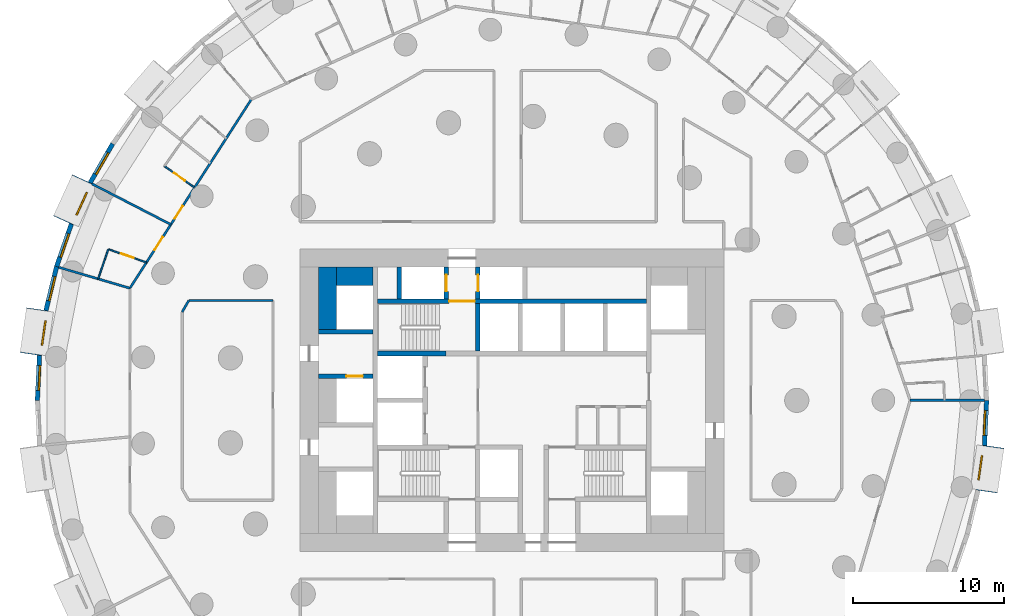
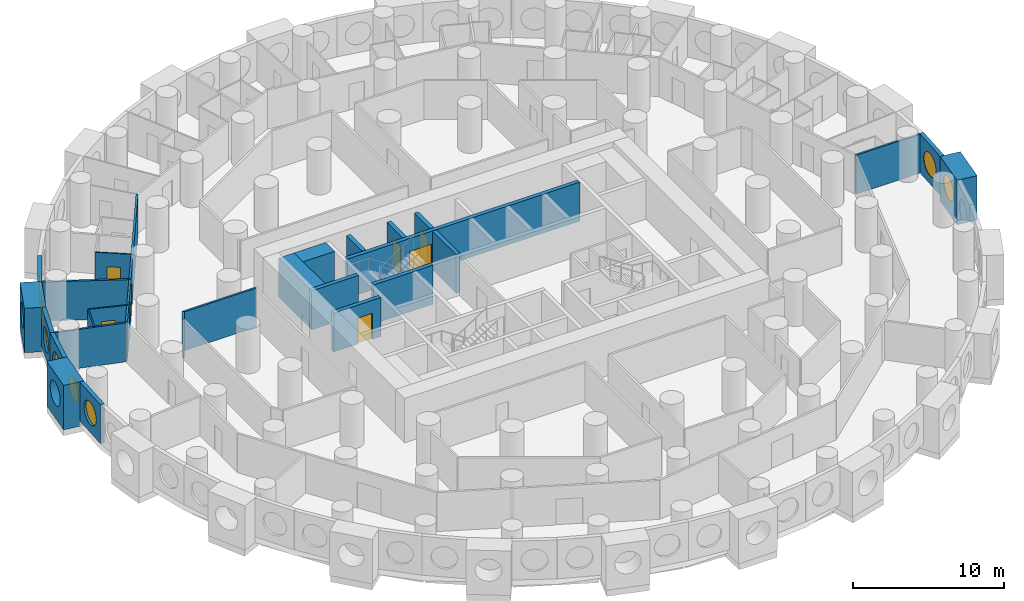
# One storey, part 6 of 12: 27 walls, 8 doors, 8 windows, 16 openings.
"""IFC4 building model written with IfcOpenShell, lengths in metres."""

from ifc_helpers import new_model, si_unit, direction, frame, frame_2d, origin, origin_2d, place, context, subcontext, project, spatial, rectangle, circle, extrude, material, layer, layer_set, type_object, element, fill, save


model = new_model("IFC4")

# Units and contexts
model_context = context("Model", 3, precision=1e-05, world=origin(), true_north=direction((0.0, 1.0)))
body_context = subcontext(model_context, "Body", "Model", "MODEL_VIEW")
ifc_project = project(units=[si_unit("LENGTHUNIT", "METRE"), si_unit("AREAUNIT", "SQUARE_METRE"), si_unit("VOLUMEUNIT", "CUBIC_METRE"), si_unit("PLANEANGLEUNIT", "RADIAN"), si_unit("MASSUNIT", "GRAM", prefix="KILO")], contexts=[model_context])

# Site, building, storey
site_placement = place(None, origin())
site = spatial("IfcSite", under=ifc_project, at=site_placement, CompositionType="ELEMENT")
building_placement = place(site_placement, origin())
building = spatial("IfcBuilding", under=site, at=building_placement, Name="Tracery Tower", CompositionType="ELEMENT")
storey_placement = place(building_placement, frame((0.0, 0.0, 46.199951171875)))
storey = spatial("IfcBuildingStorey", under=building, at=storey_placement, Name="L10", CompositionType="ELEMENT", Elevation=46.199951171875)

# Walls
ifc_material_1 = material(Name="Concrete C60/75", Category="concrete")
ifc_layer_1 = layer(ifc_material_1, 1.199951171875)
ifc_layer_set_1 = layer_set([ifc_layer_1], Name="Core strip wall 1200 C60")
wall_type_1 = type_object("IfcWallType", Name="Core strip wall 1200 C60", PredefinedType="SOLIDWALL", material=ifc_layer_set_1)
wall_1_placement = place(storey_placement, frame((-12.199951171875, 4.699951171875, 0.0), z_axis=(0.0, 0.0, 1.0), x_axis=(0.0, 1.0, 0.0)))
element("IfcWall", 1, at=wall_1_placement, inside=storey, type_object=wall_type_1, Name="L10 wing strip -1 4.55", PredefinedType="SOLIDWALL", context=body_context, shape_type="SweptSolid", body=[
    extrude(rectangle(XDim=4.10009765625, YDim=1.199951171875, at=frame_2d((2.050048828125, 0.0))), origin(), (0.0, 0.0, 1.0), 3.150146484375),
])
wall_2_placement = place(storey_placement, frame((-11.60009765625, 8.199951171875, 0.0), z_axis=(0.0, 0.0, 1.0), x_axis=(1.0, 0.0, 0.0)))
element("IfcWall", 2, at=wall_2_placement, inside=storey, type_object=wall_type_1, Name="L10 wing corner -1 +8.2", PredefinedType="SOLIDWALL", context=body_context, shape_type="SweptSolid", body=[
    extrude(rectangle(XDim=2.400146484375, YDim=1.199951171875, at=frame_2d((1.2001953125, 0.0))), origin(), (0.0, 0.0, 1.0), 3.150146484375),
])

# Wall, opening, window
ifc_material_2 = material(Name="Precast concrete C50/60", Category="concrete")
ifc_layer_2 = layer(ifc_material_2, 1.449951171875)
ifc_layer_set_2 = layer_set([ifc_layer_2], Name="Deep-set bay unit 3000 x 3600, slab edge 450")
wall_type_2 = type_object("IfcWallType", Name="Deep-set bay unit 3000 x 3600, slab edge 450", PredefinedType="ELEMENTEDWALL", material=ifc_layer_set_2)
wall_3_placement = place(storey_placement, frame((-28.40673828125, 14.6220703125, -0.449951171875), z_axis=(0.0, 0.0, 1.0), x_axis=(-0.415427028395, -0.909626508012, 0.0)))
wall_3 = element("IfcWall", 3, at=wall_3_placement, inside=storey, type_object=wall_type_2, Name="Deep-set bay unit 29 at L10", PredefinedType="ELEMENTEDWALL", context=body_context, shape_type="SweptSolid", body=[
    extrude(rectangle(XDim=3.000244140625, YDim=1.449951171875, at=frame_2d((1.5, 0.0))), origin(), (0.0, 0.0, 1.0), 3.60009765625),
])
opening_1_placement = place(wall_3_placement, frame((1.5, 0.0, 2.0)))
opening_1 = element("IfcOpeningElement", 4, at=opening_1_placement, cuts=wall_3, Name="Opening WN1", PredefinedType="OPENING", context=body_context, shape_type="SweptSolid", body=[
    extrude(circle(Radius=0.9000244140625, at=origin_2d()), frame((0.0, 0.73486328125, 0.0), z_axis=(0.0, -1.0, 0.0), x_axis=(1.0, 0.0, 0.0)), (0.0, 0.0, 1.0), 1.469970703125),
])
ifc_material_3 = material(Name="Aluminium frame with tinted double glazing", Category="aluminium")
window_type = type_object("IfcWindowType", Name="Round window 1800", PartitioningType="SINGLE_PANEL", PredefinedType="WINDOW", material=ifc_material_3)
window_1_placement = place(opening_1_placement, origin())
window_1 = element("IfcWindow", 5, at=window_1_placement, inside=storey, type_object=window_type, Name="Round window 29 at L10", OverallHeight=1.800048828125, OverallWidth=1.800048828125, PartitioningType="SINGLE_PANEL", PredefinedType="WINDOW", context=body_context, shape_type="SweptSolid", body=[
    extrude(circle(Radius=0.9000244140625, at=origin_2d()), frame((0.0, 0.69482421875, 0.0), z_axis=(0.0, -1.0, 0.0), x_axis=(1.0, 0.0, 0.0)), (0.0, 0.0, 1.0), 0.10009765625),
])
fill(opening_1, window_1)

wall_4_placement = place(storey_placement, frame((-31.37548828125, 6.026611328125, -0.449951171875), z_axis=(0.0, 0.0, 1.0), x_axis=(-0.142332746704, -0.989818866872, 0.0)))
wall_4 = element("IfcWall", 6, at=wall_4_placement, inside=storey, type_object=wall_type_2, Name="Deep-set bay unit 32 at L10", PredefinedType="ELEMENTEDWALL", context=body_context, shape_type="SweptSolid", body=[
    extrude(rectangle(XDim=3.0, YDim=1.449951171875, at=frame_2d((1.5, 0.0))), origin(), (0.0, 0.0, 1.0), 3.60009765625),
])
opening_2_placement = place(wall_4_placement, frame((1.5, 0.0, 2.0)))
opening_2 = element("IfcOpeningElement", 7, at=opening_2_placement, cuts=wall_4, Name="Opening WN1", PredefinedType="OPENING", context=body_context, shape_type="SweptSolid", body=[
    extrude(circle(Radius=0.9000244140625, at=origin_2d()), frame((0.0, 0.73486328125, 0.0), z_axis=(0.0, -1.0, 0.0), x_axis=(1.0, 0.0, 0.0)), (0.0, 0.0, 1.0), 1.469970703125),
])
window_2_placement = place(opening_2_placement, origin())
window_2 = element("IfcWindow", 8, at=window_2_placement, inside=storey, type_object=window_type, Name="Round window 32 at L10", OverallHeight=1.800048828125, OverallWidth=1.800048828125, PartitioningType="SINGLE_PANEL", PredefinedType="WINDOW", context=body_context, shape_type="SweptSolid", body=[
    extrude(circle(Radius=0.9000244140625, at=origin_2d()), frame((0.0, 0.69482421875, 0.0), z_axis=(0.0, -1.0, 0.0), x_axis=(1.0, 0.0, 0.0)), (0.0, 0.0, 1.0), 0.10009765625),
])
fill(opening_2, window_2)

wall_5_placement = place(storey_placement, frame((31.37548828125, -6.026611328125, -0.449951171875), z_axis=(0.0, 0.0, 1.0), x_axis=(0.142332746704, 0.989818866872, 0.0)))
wall_5 = element("IfcWall", 9, at=wall_5_placement, inside=storey, type_object=wall_type_2, Name="Deep-set bay unit 65 at L10", PredefinedType="ELEMENTEDWALL", context=body_context, shape_type="SweptSolid", body=[
    extrude(rectangle(XDim=3.0, YDim=1.449951171875, at=frame_2d((1.5, 0.0))), origin(), (0.0, 0.0, 1.0), 3.60009765625),
])
opening_3_placement = place(wall_5_placement, frame((1.5, 0.0, 2.0)))
opening_3 = element("IfcOpeningElement", 10, at=opening_3_placement, cuts=wall_5, Name="Opening WN1", PredefinedType="OPENING", context=body_context, shape_type="SweptSolid", body=[
    extrude(circle(Radius=0.9000244140625, at=origin_2d()), frame((0.0, 0.73486328125, 0.0), z_axis=(0.0, -1.0, 0.0), x_axis=(1.0, 0.0, 0.0)), (0.0, 0.0, 1.0), 1.469970703125),
])
window_3_placement = place(opening_3_placement, origin())
window_3 = element("IfcWindow", 11, at=window_3_placement, inside=storey, type_object=window_type, Name="Round window 65 at L10", OverallHeight=1.800048828125, OverallWidth=1.800048828125, PartitioningType="SINGLE_PANEL", PredefinedType="WINDOW", context=body_context, shape_type="SweptSolid", body=[
    extrude(circle(Radius=0.9000244140625, at=origin_2d()), frame((0.0, 0.69482421875, 0.0), z_axis=(0.0, -1.0, 0.0), x_axis=(1.0, 0.0, 0.0)), (0.0, 0.0, 1.0), 0.10009765625),
])
fill(opening_3, window_3)

ifc_material_4 = material(Name="Precast concrete C50/60", Category="concrete")
ifc_layer_3 = layer(ifc_material_4, 0.300048828125)
ifc_layer_set_3 = layer_set([ifc_layer_3], Name="Facade panel 3000 x 3150")
wall_type_3 = type_object("IfcWallType", Name="Facade panel 3000 x 3150", PredefinedType="SOLIDWALL", material=ifc_layer_set_3)
wall_6_placement = place(storey_placement, frame((-26.393798828125, 16.96240234375, 0.0), z_axis=(0.0, 0.0, 1.0), x_axis=(-0.500025049464, -0.866010940986, 0.0)))
wall_6 = element("IfcWall", 12, at=wall_6_placement, inside=storey, type_object=wall_type_3, Name="Facade panel 28 at L10", PredefinedType="SOLIDWALL", context=body_context, shape_type="SweptSolid", body=[
    extrude(rectangle(XDim=2.979736328125, YDim=0.300048828125, at=frame_2d((1.48974609375, 0.0))), origin(), (0.0, 0.0, 1.0), 3.150146484375),
])
opening_4_placement = place(wall_6_placement, frame((1.48974609375, 0.0, 1.5498046875)))
opening_4 = element("IfcOpeningElement", 13, at=opening_4_placement, cuts=wall_6, Name="Opening WN1", PredefinedType="OPENING", context=body_context, shape_type="SweptSolid", body=[
    extrude(circle(Radius=0.9000244140625, at=origin_2d()), frame((0.0, 0.159912109375, 0.0), z_axis=(0.0, -1.0, 0.0), x_axis=(1.0, 0.0, 0.0)), (0.0, 0.0, 1.0), 0.320068359375),
])
window_4_placement = place(opening_4_placement, origin())
window_4 = element("IfcWindow", 14, at=window_4_placement, inside=storey, type_object=window_type, Name="Round window 28 at L10", OverallHeight=1.800048828125, OverallWidth=1.800048828125, PartitioningType="SINGLE_PANEL", PredefinedType="WINDOW", context=body_context, shape_type="SweptSolid", body=[
    extrude(circle(Radius=0.9000244140625, at=origin_2d()), frame((0.0, 0.1201171875, 0.0), z_axis=(0.0, -1.0, 0.0), x_axis=(1.0, 0.0, 0.0)), (0.0, 0.0, 1.0), 0.10009765625),
])
fill(opening_4, window_4)

wall_7_placement = place(storey_placement, frame((-29.12890625, 11.655029296875, 0.0), z_axis=(0.0, 0.0, 1.0), x_axis=(-0.327071167136, -0.944999709856, 0.0)))
wall_7 = element("IfcWall", 15, at=wall_7_placement, inside=storey, type_object=wall_type_3, Name="Facade panel 30 at L10", PredefinedType="SOLIDWALL", context=body_context, shape_type="SweptSolid", body=[
    extrude(rectangle(XDim=2.979736328125, YDim=0.300048828125, at=frame_2d((1.48974609375, 0.0))), origin(), (0.0, 0.0, 1.0), 3.150146484375),
])
opening_5_placement = place(wall_7_placement, frame((1.48974609375, 0.0, 1.5498046875)))
opening_5 = element("IfcOpeningElement", 16, at=opening_5_placement, cuts=wall_7, Name="Opening WN1", PredefinedType="OPENING", context=body_context, shape_type="SweptSolid", body=[
    extrude(circle(Radius=0.9000244140625, at=origin_2d()), frame((0.0, 0.159912109375, 0.0), z_axis=(0.0, -1.0, 0.0), x_axis=(1.0, 0.0, 0.0)), (0.0, 0.0, 1.0), 0.320068359375),
])
window_5_placement = place(opening_5_placement, origin())
window_5 = element("IfcWindow", 17, at=window_5_placement, inside=storey, type_object=window_type, Name="Round window 30 at L10", OverallHeight=1.800048828125, OverallWidth=1.800048828125, PartitioningType="SINGLE_PANEL", PredefinedType="WINDOW", context=body_context, shape_type="SweptSolid", body=[
    extrude(circle(Radius=0.9000244140625, at=origin_2d()), frame((0.0, 0.1201171875, 0.0), z_axis=(0.0, -1.0, 0.0), x_axis=(1.0, 0.0, 0.0)), (0.0, 0.0, 1.0), 0.10009765625),
])
fill(opening_5, window_5)

wall_8_placement = place(storey_placement, frame((-30.103515625, 8.839111328125, 0.0), z_axis=(0.0, 0.0, 1.0), x_axis=(-0.235743081534, -0.971815414319, 0.0)))
wall_8 = element("IfcWall", 18, at=wall_8_placement, inside=storey, type_object=wall_type_3, Name="Facade panel 31 at L10", PredefinedType="SOLIDWALL", context=body_context, shape_type="SweptSolid", body=[
    extrude(rectangle(XDim=2.9794921875, YDim=0.300048828125, at=frame_2d((1.48974609375, 0.0))), origin(), (0.0, 0.0, 1.0), 3.150146484375),
])
opening_6_placement = place(wall_8_placement, frame((1.48974609375, 0.0, 1.5498046875)))
opening_6 = element("IfcOpeningElement", 19, at=opening_6_placement, cuts=wall_8, Name="Opening WN1", PredefinedType="OPENING", context=body_context, shape_type="SweptSolid", body=[
    extrude(circle(Radius=0.9000244140625, at=origin_2d()), frame((0.0, 0.159912109375, 0.0), z_axis=(0.0, -1.0, 0.0), x_axis=(1.0, 0.0, 0.0)), (0.0, 0.0, 1.0), 0.320068359375),
])
window_6_placement = place(opening_6_placement, origin())
window_6 = element("IfcWindow", 20, at=window_6_placement, inside=storey, type_object=window_type, Name="Round window 31 at L10", OverallHeight=1.800048828125, OverallWidth=1.800048828125, PartitioningType="SINGLE_PANEL", PredefinedType="WINDOW", context=body_context, shape_type="SweptSolid", body=[
    extrude(circle(Radius=0.9000244140625, at=origin_2d()), frame((0.0, 0.1201171875, 0.0), z_axis=(0.0, -1.0, 0.0), x_axis=(1.0, 0.0, 0.0)), (0.0, 0.0, 1.0), 0.10009765625),
])
fill(opening_6, window_6)

wall_9_placement = place(storey_placement, frame((-31.232666015625, 2.976318359375, 0.0), z_axis=(0.0, 0.0, 1.0), x_axis=(-0.047604077644, -0.998866283239, 0.0)))
wall_9 = element("IfcWall", 21, at=wall_9_placement, inside=storey, type_object=wall_type_3, Name="Facade panel 33 at L10", PredefinedType="SOLIDWALL", context=body_context, shape_type="SweptSolid", body=[
    extrude(rectangle(XDim=2.979736328125, YDim=0.300048828125, at=frame_2d((1.48974609375, 0.0))), origin(), (0.0, 0.0, 1.0), 3.150146484375),
])
opening_7_placement = place(wall_9_placement, frame((1.48974609375, 0.0, 1.5498046875)))
opening_7 = element("IfcOpeningElement", 22, at=opening_7_placement, cuts=wall_9, Name="Opening WN1", PredefinedType="OPENING", context=body_context, shape_type="SweptSolid", body=[
    extrude(circle(Radius=0.9000244140625, at=origin_2d()), frame((0.0, 0.159912109375, 0.0), z_axis=(0.0, -1.0, 0.0), x_axis=(1.0, 0.0, 0.0)), (0.0, 0.0, 1.0), 0.320068359375),
])
window_7_placement = place(opening_7_placement, origin())
window_7 = element("IfcWindow", 23, at=window_7_placement, inside=storey, type_object=window_type, Name="Round window 33 at L10", OverallHeight=1.800048828125, OverallWidth=1.800048828125, PartitioningType="SINGLE_PANEL", PredefinedType="WINDOW", context=body_context, shape_type="SweptSolid", body=[
    extrude(circle(Radius=0.9000244140625, at=origin_2d()), frame((0.0, 0.1201171875, 0.0), z_axis=(0.0, -1.0, 0.0), x_axis=(1.0, 0.0, 0.0)), (0.0, 0.0, 1.0), 0.10009765625),
])
fill(opening_7, window_7)

wall_10_placement = place(storey_placement, frame((31.232666015625, -2.976318359375, 0.0), z_axis=(0.0, 0.0, 1.0), x_axis=(0.047604077644, 0.998866283239, 0.0)))
wall_10 = element("IfcWall", 24, at=wall_10_placement, inside=storey, type_object=wall_type_3, Name="Facade panel 66 at L10", PredefinedType="SOLIDWALL", context=body_context, shape_type="SweptSolid", body=[
    extrude(rectangle(XDim=2.979736328125, YDim=0.300048828125, at=frame_2d((1.48974609375, 0.0))), origin(), (0.0, 0.0, 1.0), 3.150146484375),
])
opening_8_placement = place(wall_10_placement, frame((1.48974609375, 0.0, 1.5498046875)))
opening_8 = element("IfcOpeningElement", 25, at=opening_8_placement, cuts=wall_10, Name="Opening WN1", PredefinedType="OPENING", context=body_context, shape_type="SweptSolid", body=[
    extrude(circle(Radius=0.9000244140625, at=origin_2d()), frame((0.0, 0.159912109375, 0.0), z_axis=(0.0, -1.0, 0.0), x_axis=(1.0, 0.0, 0.0)), (0.0, 0.0, 1.0), 0.320068359375),
])
window_8_placement = place(opening_8_placement, origin())
window_8 = element("IfcWindow", 26, at=window_8_placement, inside=storey, type_object=window_type, Name="Round window 66 at L10", OverallHeight=1.800048828125, OverallWidth=1.800048828125, PartitioningType="SINGLE_PANEL", PredefinedType="WINDOW", context=body_context, shape_type="SweptSolid", body=[
    extrude(circle(Radius=0.9000244140625, at=origin_2d()), frame((0.0, 0.1201171875, 0.0), z_axis=(0.0, -1.0, 0.0), x_axis=(1.0, 0.0, 0.0)), (0.0, 0.0, 1.0), 0.10009765625),
])
fill(opening_8, window_8)

# Wall, opening, door
ifc_material_5 = material(Name="Plasterboard on steel studs", Category="steel")
ifc_layer_4 = layer(ifc_material_5, 0.10009765625)
ifc_layer_set_4 = layer_set([ifc_layer_4], Name="Partition 100 wet wall")
wall_type_4 = type_object("IfcWallType", Name="Partition 100 wet wall", PredefinedType="PARTITIONING", material=ifc_layer_set_4)
wall_11_placement = place(storey_placement, frame((-22.97802734375, 15.486083984375, 0.0), z_axis=(0.0, 0.0, 1.0), x_axis=(0.814519517834, -0.580136152181, 0.0)))
wall_11 = element("IfcWall", 27, at=wall_11_placement, inside=storey, type_object=wall_type_4, Name="Wet wall RA2-113", PredefinedType="PARTITIONING", context=body_context, shape_type="SweptSolid", body=[
    extrude(rectangle(XDim=2.453125, YDim=0.10009765625, at=frame_2d((1.2265625, 0.0))), origin(), (0.0, 0.0, 1.0), 3.150146484375),
])
opening_9_placement = place(wall_11_placement, frame((0.77587890625, 0.0, 0.0)))
opening_9 = element("IfcOpeningElement", 28, at=opening_9_placement, cuts=wall_11, Name="Opening RA2-41", PredefinedType="OPENING", context=body_context, shape_type="SweptSolid", body=[
    extrude(rectangle(XDim=0.89990234375, YDim=2.0400390625, at=frame_2d((0.449951171875, 1.02001953125))), frame((0.0, 0.050048828125, 0.0), z_axis=(0.0, -1.0, 0.0), x_axis=(1.0, 0.0, 0.0)), (0.0, 0.0, 1.0), 0.10009765625),
])
ifc_material_6 = material(Name="Timber door leaf", Category="wood")
door_type_1 = type_object("IfcDoorType", Name="Door en-suite 900", OperationType="NOTDEFINED", PredefinedType="DOOR", material=ifc_material_6)
door_1_placement = place(opening_9_placement, origin())
door_1 = element("IfcDoor", 29, at=door_1_placement, inside=storey, type_object=door_type_1, Name="En-suite door RA2-41", OperationType="SINGLE_SWING_LEFT", OverallHeight=2.0400390625, OverallWidth=0.89990234375, PredefinedType="DOOR", context=body_context, shape_type="SweptSolid", body=[
    extrude(rectangle(XDim=0.89990234375, YDim=2.0400390625, at=frame_2d((0.449951171875, 1.02001953125))), frame((0.0, 0.02490234375, 0.0), z_axis=(0.0, -1.0, 0.0), x_axis=(1.0, 0.0, 0.0)), (0.0, 0.0, 1.0), 0.050048828125),
])
fill(opening_9, door_1)

wall_12_placement = place(storey_placement, frame((-26.678955078125, 9.989013671875, 0.0), z_axis=(0.0, 0.0, 1.0), x_axis=(0.945014370431, -0.327028805578, 0.0)))
wall_12 = element("IfcWall", 30, at=wall_12_placement, inside=storey, type_object=wall_type_4, Name="Wet wall RA2-115", PredefinedType="PARTITIONING", context=body_context, shape_type="SweptSolid", body=[
    extrude(rectangle(XDim=2.666748046875, YDim=0.10009765625, at=frame_2d((1.33349609375, 0.0))), origin(), (0.0, 0.0, 1.0), 3.150146484375),
])
opening_10_placement = place(wall_12_placement, frame((0.883544921875, 0.0, 0.0)))
opening_10 = element("IfcOpeningElement", 31, at=opening_10_placement, cuts=wall_12, Name="Opening RA2-43", PredefinedType="OPENING", context=body_context, shape_type="SweptSolid", body=[
    extrude(rectangle(XDim=0.89990234375, YDim=2.0400390625, at=frame_2d((0.449951171875, 1.02001953125))), frame((0.0, 0.050048828125, 0.0), z_axis=(0.0, -1.0, 0.0), x_axis=(1.0, 0.0, 0.0)), (0.0, 0.0, 1.0), 0.10009765625),
])
door_2_placement = place(opening_10_placement, origin())
door_2 = element("IfcDoor", 32, at=door_2_placement, inside=storey, type_object=door_type_1, Name="En-suite door RA2-43", OperationType="SINGLE_SWING_LEFT", OverallHeight=2.0400390625, OverallWidth=0.89990234375, PredefinedType="DOOR", context=body_context, shape_type="SweptSolid", body=[
    extrude(rectangle(XDim=0.89990234375, YDim=2.0400390625, at=frame_2d((0.449951171875, 1.02001953125))), frame((0.0, 0.02490234375, 0.0), z_axis=(0.0, -1.0, 0.0), x_axis=(1.0, 0.0, 0.0)), (0.0, 0.0, 1.0), 0.050048828125),
])
fill(opening_10, door_2)

# Walls
wall_13_placement = place(storey_placement, frame((-27.35595703125, 8.031982421875, 0.0), z_axis=(0.0, 0.0, 1.0), x_axis=(0.326924291943, 0.945050531632, 0.0)))
element("IfcWall", 33, at=wall_13_placement, inside=storey, type_object=wall_type_4, Name="Wet wall RA2-116", PredefinedType="PARTITIONING", context=body_context, shape_type="SweptSolid", body=[
    extrude(rectangle(XDim=2.07080078125, YDim=0.10009765625, at=frame_2d((1.035400390625, 0.0))), origin(), (0.0, 0.0, 1.0), 3.150146484375),
])
ifc_material_7 = material(Name="Plasterboard on steel studs", Category="steel")
ifc_layer_5 = layer(ifc_material_7, 0.14990234375)
ifc_layer_set_5 = layer_set([ifc_layer_5], Name="Partition 150 acoustic unit wall")
wall_type_5 = type_object("IfcWallType", Name="Partition 150 acoustic unit wall", PredefinedType="PARTITIONING", material=ifc_layer_set_5)
wall_14_placement = place(storey_placement, frame((26.319091796875, 0.0, 0.0), z_axis=(0.0, 0.0, 1.0), x_axis=(1.0, 0.0, 0.0)))
element("IfcWall", 34, at=wall_14_placement, inside=storey, type_object=wall_type_5, Name="Unit wall RA2-065", PredefinedType="PARTITIONING", context=body_context, shape_type="SweptSolid", body=[
    extrude(rectangle(XDim=4.905029296875, YDim=0.14990234375, at=frame_2d((2.45263671875, 0.0))), origin(), (0.0, 0.0, 1.0), 3.150146484375),
])
wall_15_placement = place(storey_placement, frame((-27.7529296875, 14.30810546875, 0.0), z_axis=(0.0, 0.0, 1.0), x_axis=(0.88877955153, -0.45833493079, 0.0)))
element("IfcWall", 35, at=wall_15_placement, inside=storey, type_object=wall_type_5, Name="Unit wall RA2-114", PredefinedType="PARTITIONING", context=body_context, shape_type="SweptSolid", body=[
    extrude(rectangle(XDim=5.856201171875, YDim=0.14990234375, at=frame_2d((2.92822265625, 0.0))), origin(), (0.0, 0.0, 1.0), 3.150146484375),
])
wall_16_placement = place(storey_placement, frame((-29.958984375, 8.797119140625, 0.0), z_axis=(0.0, 0.0, 1.0), x_axis=(0.95941700717, -0.281991145876, 0.0)))
element("IfcWall", 36, at=wall_16_placement, inside=storey, type_object=wall_type_5, Name="Unit wall RA2-117", PredefinedType="PARTITIONING", context=body_context, shape_type="SweptSolid", body=[
    extrude(rectangle(XDim=4.904541015625, YDim=0.14990234375, at=frame_2d((2.4521484375, 0.0))), origin(), (0.0, 0.0, 1.0), 3.150146484375),
])

# Wall, openings, doors
ifc_material_8 = material(Name="Plasterboard on steel studs", Category="steel")
ifc_layer_6 = layer(ifc_material_8, 0.14990234375)
ifc_layer_set_6 = layer_set([ifc_layer_6], Name="Partition 150 corridor wall")
wall_type_6 = type_object("IfcWallType", Name="Partition 150 corridor wall", PredefinedType="PARTITIONING", material=ifc_layer_set_6)
wall_17_placement = place(storey_placement, frame((-25.2548828125, 7.416259765625, 0.0), z_axis=(0.0, 0.0, 1.0), x_axis=(0.540805851332, 0.841147449123, 0.0)))
wall_17 = element("IfcWall", 37, at=wall_17_placement, inside=storey, type_object=wall_type_6, Name="Corridor wall RA2-037", PredefinedType="PARTITIONING", context=body_context, shape_type="SweptSolid", body=[
    extrude(rectangle(XDim=14.829345703125, YDim=0.14990234375, at=frame_2d((7.41455078125, 0.0))), origin(), (0.0, 0.0, 1.0), 3.150146484375),
])
opening_11_placement = place(wall_17_placement, frame((5.452880859375, 0.0, 0.0)))
opening_11 = element("IfcOpeningElement", 38, at=opening_11_placement, cuts=wall_17, Name="Opening RA2-42", PredefinedType="OPENING", context=body_context, shape_type="SweptSolid", body=[
    extrude(rectangle(XDim=1.0, YDim=2.10009765625, at=frame_2d((0.5, 1.050048828125))), frame((0.0, 0.074951171875, 0.0), z_axis=(0.0, -1.0, 0.0), x_axis=(1.0, 0.0, 0.0)), (0.0, 0.0, 1.0), 0.14990234375),
])
opening_12_placement = place(wall_17_placement, frame((3.0126953125, 0.0, 0.0)))
opening_12 = element("IfcOpeningElement", 39, at=opening_12_placement, cuts=wall_17, Name="Opening RA2-44", PredefinedType="OPENING", context=body_context, shape_type="SweptSolid", body=[
    extrude(rectangle(XDim=1.0, YDim=2.10009765625, at=frame_2d((0.5, 1.050048828125))), frame((0.0, 0.074951171875, 0.0), z_axis=(0.0, -1.0, 0.0), x_axis=(1.0, 0.0, 0.0)), (0.0, 0.0, 1.0), 0.14990234375),
])
ifc_material_9 = material(Name="Timber door leaf", Category="wood")
door_type_2 = type_object("IfcDoorType", Name="Door unit entrance 1000", OperationType="NOTDEFINED", PredefinedType="DOOR", material=ifc_material_9)
door_3_placement = place(opening_11_placement, origin())
door_3 = element("IfcDoor", 40, at=door_3_placement, inside=storey, type_object=door_type_2, Name="Unit entrance door RA2-42", OperationType="SINGLE_SWING_LEFT", OverallHeight=2.10009765625, OverallWidth=1.0, PredefinedType="DOOR", context=body_context, shape_type="SweptSolid", body=[
    extrude(rectangle(XDim=1.0, YDim=2.10009765625, at=frame_2d((0.5, 1.050048828125))), frame((0.0, 0.02490234375, 0.0), z_axis=(0.0, -1.0, 0.0), x_axis=(1.0, 0.0, 0.0)), (0.0, 0.0, 1.0), 0.050048828125),
])
fill(opening_11, door_3)
door_4_placement = place(opening_12_placement, origin())
door_4 = element("IfcDoor", 41, at=door_4_placement, inside=storey, type_object=door_type_2, Name="Unit entrance door RA2-44", OperationType="SINGLE_SWING_LEFT", OverallHeight=2.10009765625, OverallWidth=1.0, PredefinedType="DOOR", context=body_context, shape_type="SweptSolid", body=[
    extrude(rectangle(XDim=1.0, YDim=2.10009765625, at=frame_2d((0.5, 1.050048828125))), frame((0.0, 0.02490234375, 0.0), z_axis=(0.0, -1.0, 0.0), x_axis=(1.0, 0.0, 0.0)), (0.0, 0.0, 1.0), 0.050048828125),
])
fill(opening_12, door_4)

# Walls
wall_18_placement = place(storey_placement, frame((-21.364013671875, 6.60009765625, 0.0), z_axis=(0.0, 0.0, 1.0), x_axis=(1.0, 0.0, 0.0)))
element("IfcWall", 42, at=wall_18_placement, inside=storey, type_object=wall_type_6, Name="Corridor wall RA2-039", PredefinedType="PARTITIONING", context=body_context, shape_type="SweptSolid", body=[
    extrude(rectangle(XDim=5.56396484375, YDim=0.14990234375, at=frame_2d((2.781982421875, 0.0))), origin(), (0.0, 0.0, 1.0), 3.150146484375),
])
wall_19_placement = place(storey_placement, frame((-21.802001953125, 5.842041015625, 0.0), z_axis=(0.0, 0.0, 1.0), x_axis=(0.500277597875, 0.865865073245, 0.0)))
element("IfcWall", 43, at=wall_19_placement, inside=storey, type_object=wall_type_6, Name="Corridor wall RA2-040", PredefinedType="PARTITIONING", context=body_context, shape_type="SweptSolid", body=[
    extrude(rectangle(XDim=0.87548828125, YDim=0.14990234375, at=frame_2d((0.437744140625, 0.0))), origin(), (0.0, 0.0, 1.0), 3.150146484375),
])
ifc_material_10 = material(Name="Concrete C60/75", Category="concrete")
ifc_layer_7 = layer(ifc_material_10, 0.300048828125)
ifc_layer_set_7 = layer_set([ifc_layer_7], Name="Shaft wall 300 C60")
wall_type_7 = type_object("IfcWallType", Name="Shaft wall 300 C60", PredefinedType="SOLIDWALL", material=ifc_layer_set_7)
wall_20_placement = place(storey_placement, frame((-7.449951171875, 6.699951171875, 0.0), z_axis=(0.0, 0.0, 1.0), x_axis=(0.0, 1.0, 0.0)))
element("IfcWall", 44, at=wall_20_placement, inside=storey, type_object=wall_type_7, Name="L10 LR sep -7.45", PredefinedType="SOLIDWALL", context=body_context, shape_type="SweptSolid", body=[
    extrude(rectangle(XDim=2.10009765625, YDim=0.300048828125, at=frame_2d((1.050048828125, 0.0))), origin(), (0.0, 0.0, 1.0), 3.150146484375),
])

# Wall, opening, door
wall_21_placement = place(storey_placement, frame((-4.35009765625, 6.699951171875, 0.0), z_axis=(0.0, 0.0, 1.0), x_axis=(0.0, 1.0, 0.0)))
wall_21 = element("IfcWall", 45, at=wall_21_placement, inside=storey, type_object=wall_type_7, Name="L10 LR sep -4.35", PredefinedType="SOLIDWALL", context=body_context, shape_type="SweptSolid", body=[
    extrude(rectangle(XDim=2.10009765625, YDim=0.300048828125, at=frame_2d((1.050048828125, 0.0))), origin(), (0.0, 0.0, 1.0), 3.150146484375),
])
opening_13_placement = place(wall_21_placement, frame((0.5, 0.0, 0.0)))
opening_13 = element("IfcOpeningElement", 46, at=opening_13_placement, cuts=wall_21, Name="Opening KD50", PredefinedType="OPENING", context=body_context, shape_type="SweptSolid", body=[
    extrude(rectangle(XDim=1.10009765625, YDim=2.10009765625, at=frame_2d((0.550048828125, 1.050048828125))), frame((0.0, 0.14990234375, 0.0), z_axis=(0.0, -1.0, 0.0), x_axis=(1.0, 0.0, 0.0)), (0.0, 0.0, 1.0), 0.300048828125),
])
ifc_material_11 = material(Name="Steel fire door", Category="steel")
door_type_3 = type_object("IfcDoorType", Name="Landing door 1100", OperationType="NOTDEFINED", PredefinedType="DOOR", material=ifc_material_11)
door_5_placement = place(opening_13_placement, origin())
door_5 = element("IfcDoor", 47, at=door_5_placement, inside=storey, type_object=door_type_3, Name="Landing door LR3", OperationType="SLIDING_TO_RIGHT", OverallHeight=2.10009765625, OverallWidth=1.10009765625, PredefinedType="DOOR", context=body_context, shape_type="SweptSolid", body=[
    extrude(rectangle(XDim=1.10009765625, YDim=2.10009765625, at=frame_2d((0.550048828125, 1.050048828125))), frame((0.0, 0.02490234375, 0.0), z_axis=(0.0, -1.0, 0.0), x_axis=(1.0, 0.0, 0.0)), (0.0, 0.0, 1.0), 0.050048828125),
])
fill(opening_13, door_5)

# Wall
wall_22_placement = place(storey_placement, frame((-12.800048828125, 4.550048828125, 0.0), z_axis=(0.0, 0.0, 1.0), x_axis=(1.0, 0.0, 0.0)))
element("IfcWall", 48, at=wall_22_placement, inside=storey, type_object=wall_type_7, Name="L10 wing shaft wall -1 +4.55", PredefinedType="SOLIDWALL", context=body_context, shape_type="SweptSolid", body=[
    extrude(rectangle(XDim=3.60009765625, YDim=0.300048828125, at=frame_2d((1.800048828125, 0.0))), origin(), (0.0, 0.0, 1.0), 3.150146484375),
])

# Wall, opening, door
wall_23_placement = place(storey_placement, frame((-12.800048828125, 1.60009765625, 0.0), z_axis=(0.0, 0.0, 1.0), x_axis=(1.0, 0.0, 0.0)))
wall_23 = element("IfcWall", 49, at=wall_23_placement, inside=storey, type_object=wall_type_7, Name="L10 wing shaft wall -1 +1.60", PredefinedType="SOLIDWALL", context=body_context, shape_type="SweptSolid", body=[
    extrude(rectangle(XDim=3.60009765625, YDim=0.300048828125, at=frame_2d((1.800048828125, 0.0))), origin(), (0.0, 0.0, 1.0), 3.150146484375),
])
opening_14_placement = place(wall_23_placement, frame((1.85009765625, 0.0, 0.0)))
opening_14 = element("IfcOpeningElement", 50, at=opening_14_placement, cuts=wall_23, Name="Opening KD50", PredefinedType="OPENING", context=body_context, shape_type="SweptSolid", body=[
    extrude(rectangle(XDim=1.10009765625, YDim=2.10009765625, at=frame_2d((0.550048828125, 1.050048828125))), frame((0.0, 0.14990234375, 0.0), z_axis=(0.0, -1.0, 0.0), x_axis=(1.0, 0.0, 0.0)), (0.0, 0.0, 1.0), 0.300048828125),
])
door_6_placement = place(opening_14_placement, origin())
door_6 = element("IfcDoor", 51, at=door_6_placement, inside=storey, type_object=door_type_3, Name="Landing door LR1", OperationType="SLIDING_TO_RIGHT", OverallHeight=2.10009765625, OverallWidth=1.10009765625, PredefinedType="DOOR", context=body_context, shape_type="SweptSolid", body=[
    extrude(rectangle(XDim=1.10009765625, YDim=2.10009765625, at=frame_2d((0.550048828125, 1.050048828125))), frame((0.0, 0.02490234375, 0.0), z_axis=(0.0, -1.0, 0.0), x_axis=(1.0, 0.0, 0.0)), (0.0, 0.0, 1.0), 0.050048828125),
])
fill(opening_14, door_6)

# Walls
ifc_material_12 = material(Name="Concrete C60/75", Category="concrete")
ifc_layer_8 = layer(ifc_material_12, 0.300048828125)
ifc_layer_set_8 = layer_set([ifc_layer_8], Name="Stair wall 300 C60")
wall_type_8 = type_object("IfcWallType", Name="Stair wall 300 C60", PredefinedType="SOLIDWALL", material=ifc_layer_set_8)
wall_24_placement = place(storey_placement, frame((-8.89990234375, 3.10009765625, 0.0), z_axis=(0.0, 0.0, 1.0), x_axis=(1.0, 0.0, 0.0)))
element("IfcWall", 52, at=wall_24_placement, inside=storey, type_object=wall_type_8, Name="L10 row N W", PredefinedType="SOLIDWALL", context=body_context, shape_type="SweptSolid", body=[
    extrude(rectangle(XDim=4.5498046875, YDim=0.300048828125, at=frame_2d((2.27490234375, 0.0))), origin(), (0.0, 0.0, 1.0), 3.150146484375),
])
wall_25_placement = place(storey_placement, frame((-2.25, 3.25, 0.0), z_axis=(0.0, 0.0, 1.0), x_axis=(0.0, 1.0, 0.0)))
element("IfcWall", 53, at=wall_25_placement, inside=storey, type_object=wall_type_8, Name="L10 ST3 E", PredefinedType="SOLIDWALL", context=body_context, shape_type="SweptSolid", body=[
    extrude(rectangle(XDim=3.14990234375, YDim=0.300048828125, at=frame_2d((1.574951171875, 0.0))), origin(), (0.0, 0.0, 1.0), 3.150146484375),
])

# Wall, opening, door
wall_26_placement = place(storey_placement, frame((-8.89990234375, 6.550048828125, 0.0), z_axis=(0.0, 0.0, 1.0), x_axis=(1.0, 0.0, 0.0)))
wall_26 = element("IfcWall", 54, at=wall_26_placement, inside=storey, type_object=wall_type_8, Name="L10 F N", PredefinedType="SOLIDWALL", context=body_context, shape_type="SweptSolid", body=[
    extrude(rectangle(XDim=17.7998046875, YDim=0.300048828125, at=frame_2d((8.89990234375, 0.0))), origin(), (0.0, 0.0, 1.0), 3.150146484375),
])
opening_15_placement = place(wall_26_placement, frame((4.75, 0.0, 0.0)))
opening_15 = element("IfcOpeningElement", 55, at=opening_15_placement, cuts=wall_26, Name="Opening KD3", PredefinedType="OPENING", context=body_context, shape_type="SweptSolid", body=[
    extrude(rectangle(XDim=1.699951171875, YDim=2.10009765625, at=frame_2d((0.85009765625, 1.050048828125))), frame((0.0, 0.14990234375, 0.0), z_axis=(0.0, -1.0, 0.0), x_axis=(1.0, 0.0, 0.0)), (0.0, 0.0, 1.0), 0.300048828125),
])
ifc_material_13 = material(Name="Steel fire door", Category="steel")
door_type_4 = type_object("IfcDoorType", Name="Core stair door 1700 double", OperationType="NOTDEFINED", PredefinedType="DOOR", material=ifc_material_13)
door_7_placement = place(opening_15_placement, origin())
door_7 = element("IfcDoor", 56, at=door_7_placement, inside=storey, type_object=door_type_4, Name="Stair door ST3 N", OperationType="DOUBLE_DOOR_SINGLE_SWING", OverallHeight=2.10009765625, OverallWidth=1.699951171875, PredefinedType="DOOR", context=body_context, shape_type="SweptSolid", body=[
    extrude(rectangle(XDim=1.699951171875, YDim=2.10009765625, at=frame_2d((0.85009765625, 1.050048828125))), frame((0.0, 0.02490234375, 0.0), z_axis=(0.0, -1.0, 0.0), x_axis=(1.0, 0.0, 0.0)), (0.0, 0.0, 1.0), 0.050048828125),
])
fill(opening_15, door_7)

wall_27_placement = place(storey_placement, frame((-2.25, 6.699951171875, 0.0), z_axis=(0.0, 0.0, 1.0), x_axis=(0.0, 1.0, 0.0)))
wall_27 = element("IfcWall", 57, at=wall_27_placement, inside=storey, type_object=wall_type_8, Name="L10 ST3 E out", PredefinedType="SOLIDWALL", context=body_context, shape_type="SweptSolid", body=[
    extrude(rectangle(XDim=2.10009765625, YDim=0.300048828125, at=frame_2d((1.050048828125, 0.0))), origin(), (0.0, 0.0, 1.0), 3.150146484375),
])
opening_16_placement = place(wall_27_placement, frame((0.5, 0.0, 0.0)))
opening_16 = element("IfcOpeningElement", 58, at=opening_16_placement, cuts=wall_27, Name="Opening KD49", PredefinedType="OPENING", context=body_context, shape_type="SweptSolid", body=[
    extrude(rectangle(XDim=1.10009765625, YDim=2.10009765625, at=frame_2d((0.550048828125, 1.050048828125))), frame((0.0, 0.14990234375, 0.0), z_axis=(0.0, -1.0, 0.0), x_axis=(1.0, 0.0, 0.0)), (0.0, 0.0, 1.0), 0.300048828125),
])
door_8_placement = place(opening_16_placement, origin())
door_8 = element("IfcDoor", 59, at=door_8_placement, inside=storey, type_object=door_type_3, Name="Landing door LR2", OperationType="SLIDING_TO_LEFT", OverallHeight=2.10009765625, OverallWidth=1.10009765625, PredefinedType="DOOR", context=body_context, shape_type="SweptSolid", body=[
    extrude(rectangle(XDim=1.10009765625, YDim=2.10009765625, at=frame_2d((0.550048828125, 1.050048828125))), frame((0.0, 0.02490234375, 0.0), z_axis=(0.0, -1.0, 0.0), x_axis=(1.0, 0.0, 0.0)), (0.0, 0.0, 1.0), 0.050048828125),
])
fill(opening_16, door_8)

save(model, "model.ifc")
